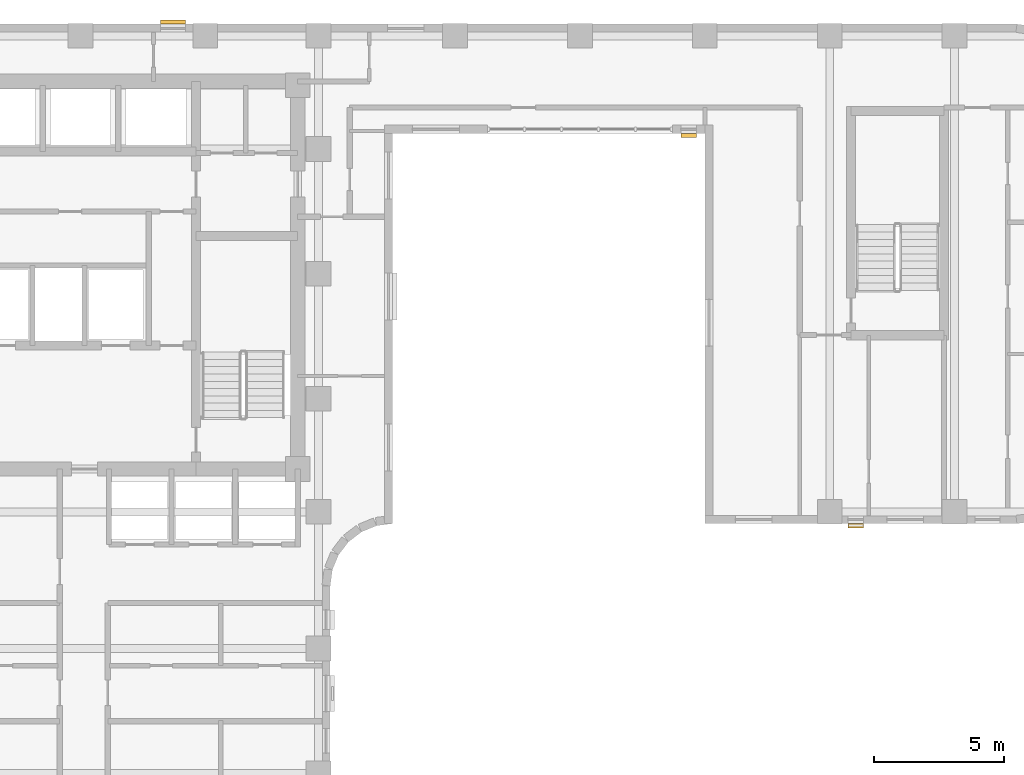
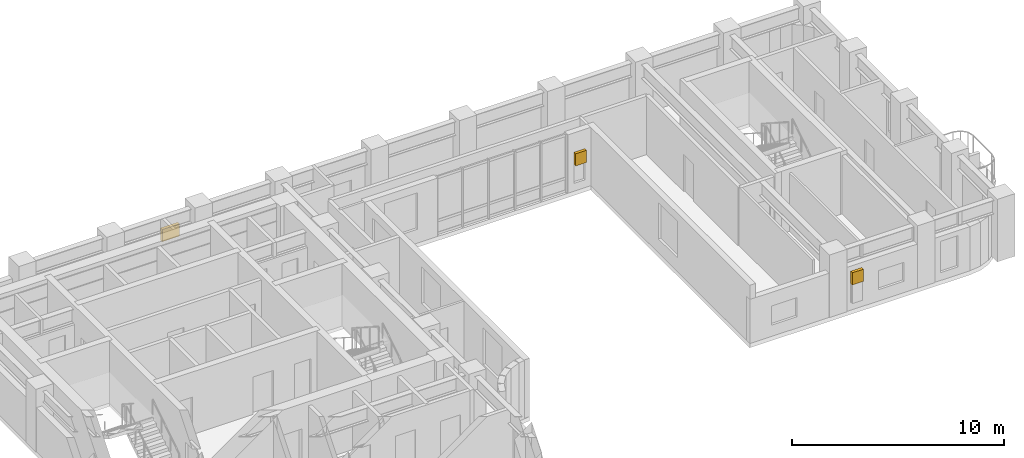
# One storey, part 11 of 11: 3 shading devices.
"""IFC4 building model written with IfcOpenShell, lengths in metres."""

import ifcopenshell
import ifcopenshell.guid

model = None  # the IFC model being written
_history = None  # IfcOwnerHistory: only IFC2X3 demands one
_inside = {}  # id of a spatial element -> (the spatial element, [elements in it])
_under = {}  # id of a project, library or spatial element -> (it, [spatial elements below it])
_declared = {}  # id of a project -> (the project, [libraries it declares])
_typed = {}  # id of a type object -> (the type object, [elements of that type])
_made_of = {}  # id of a material, layer set ... -> (it, [elements and type objects made of it])


def new_model(schema):
    """Start an empty IFC model of exactly this schema.

    Asked for "IFC4X3", IfcOpenShell would pick the latest addendum, in which some entities
    have other attributes; the version numbers below select the first issue.
    IFC2X3 requires an IfcOwnerHistory on every rooted entity: one is made here for all.
    """
    global model, _history
    if schema == "IFC4X3":
        model = ifcopenshell.file(schema_version=(4, 3, 0, 0))
    else:
        model = ifcopenshell.file(schema=schema)
    _inside.clear()
    _under.clear()
    _declared.clear()
    _typed.clear()
    _made_of.clear()
    _history = None
    if model.schema == "IFC2X3":
        org = make("IfcOrganization", Name="unknown")
        user = make(
            "IfcPersonAndOrganization",
            ThePerson=make("IfcPerson", FamilyName="unknown"),
            TheOrganization=org,
        )
        app = make(
            "IfcApplication",
            ApplicationDeveloper=org,
            Version="unknown",
            ApplicationFullName="unknown",
            ApplicationIdentifier="unknown",
        )
        _history = make(
            "IfcOwnerHistory",
            OwningUser=user,
            OwningApplication=app,
            ChangeAction="ADDED",
            CreationDate=0,
        )
    return model


def make(cls, **values):
    """One entity of the class cls with the attributes given. An attribute that is None is left unset."""
    return model.create_entity(
        cls, **{name: value for name, value in values.items() if value is not None}
    )


def rooted(cls, **values):
    """An entity with a GlobalId (a new one), such as an element, a storey or a relation."""
    return make(cls, GlobalId=ifcopenshell.guid.new(), OwnerHistory=_history, **values)


def si_unit(unit_type, name, prefix=None):
    """IfcSIUnit, for example si_unit("LENGTHUNIT", "METRE", prefix="MILLI")."""
    return make("IfcSIUnit", UnitType=unit_type, Prefix=prefix, Name=name)


def assignment(units):
    """IfcUnitAssignment: the units of a project."""
    return None if units is None else make("IfcUnitAssignment", Units=units)


def point(xyz):
    """IfcCartesianPoint."""
    return None if xyz is None else make("IfcCartesianPoint", Coordinates=xyz)


def direction(xyz):
    """IfcDirection."""
    return None if xyz is None else make("IfcDirection", DirectionRatios=xyz)


def frame(location, z_axis=None, x_axis=None):
    """IfcAxis2Placement3D, a coordinate frame: its origin and axes. An axis left out is left unset."""
    return make(
        "IfcAxis2Placement3D",
        Location=point(location),
        Axis=direction(z_axis),
        RefDirection=direction(x_axis),
    )


def frame_2d(location, x_axis=None):
    """IfcAxis2Placement2D, a coordinate frame in the plane: its origin and x axis."""
    return make(
        "IfcAxis2Placement2D", Location=point(location), RefDirection=direction(x_axis)
    )


def origin():
    """The frame at (0, 0, 0) with its axes left unset."""
    return frame((0.0, 0.0, 0.0))


def origin_2d():
    """The frame at (0, 0) in the plane with its x axis left unset."""
    return frame_2d((0.0, 0.0))


def place(relative_to, where):
    """IfcLocalPlacement: puts the frame where relative to a parent placement (None: the world)."""
    return make(
        "IfcLocalPlacement", PlacementRelTo=relative_to, RelativePlacement=where
    )


def context(
    kind, dimensions, precision=None, world=None, true_north=None, identifier=None
):
    """IfcGeometricRepresentationContext, for example the 3D "Model" context."""
    return make(
        "IfcGeometricRepresentationContext",
        ContextIdentifier=identifier,
        ContextType=kind,
        CoordinateSpaceDimension=dimensions,
        Precision=precision,
        WorldCoordinateSystem=world,
        TrueNorth=true_north,
    )


def subcontext(parent, identifier, kind, view, scale=None):
    """IfcGeometricRepresentationSubContext, for example "Body" below "Model"."""
    return make(
        "IfcGeometricRepresentationSubContext",
        ContextIdentifier=identifier,
        ContextType=kind,
        ParentContext=parent,
        TargetScale=scale,
        TargetView=view,
    )


def project(units=None, contexts=None):
    """IfcProject with its units and contexts."""
    return rooted(
        "IfcProject",
        Name="project",
        RepresentationContexts=contexts,
        UnitsInContext=assignment(units),
    )


def spatial(cls, under=None, at=None, **own):
    """A site, building, storey or space (cls), placed at a placement, below another one or the project."""
    s = rooted(cls, ObjectPlacement=at, **own)
    if under is not None:
        _under.setdefault(under.id(), (under, []))[1].append(s)
    return s


def profile(cls, at=None, kind="AREA", **sizes):
    """A parametric profile (cls). Its sizes go by their IFC names, for example OverallWidth=200.0."""
    return make(cls, ProfileType=kind, Position=at, **sizes)


def rectangle(**sizes):
    """IfcRectangleProfileDef."""
    return profile("IfcRectangleProfileDef", **sizes)


def extrude(swept, where, along, depth):
    """IfcExtrudedAreaSolid: the profile swept, set in the frame where, extruded along a direction by depth."""
    return make(
        "IfcExtrudedAreaSolid",
        SweptArea=swept,
        Position=where,
        ExtrudedDirection=direction(along),
        Depth=depth,
    )


def shape(context_of_items, identifier, shape_type, items):
    """IfcShapeRepresentation: the items that make up one representation, for example the "Body"."""
    return make(
        "IfcShapeRepresentation",
        ContextOfItems=context_of_items,
        RepresentationIdentifier=identifier,
        RepresentationType=shape_type,
        Items=items,
    )


def material(Name=None, Category=None):
    """IfcMaterial."""
    return make("IfcMaterial", Name=Name, Category=Category)


def made_of(thing, what):
    """Note that an element or type object is made of a material, layer set ...; save() writes the relation."""
    if what is not None:
        _made_of.setdefault(what.id(), (what, []))[1].append(thing)
    return thing


def type_object(cls, material=None, **own):
    """A type object (cls), such as IfcWallType, which elements share."""
    return made_of(rooted(cls, **own), material)


def element(
    cls,
    number,
    at=None,
    inside=None,
    cuts=None,
    type_object=None,
    material=None,
    context=None,
    identifier="Body",
    shape_type=None,
    held_by="IfcProductDefinitionShape",
    body=None,
    shapes=None,
    **own,
):
    """One element of the class cls, such as IfcWall. Its Tag is "e" and its number.

    at: its placement. inside: the storey or other place that contains it. cuts: it is an
    opening in that element (IfcRelVoidsElement). A single representation is given by context,
    identifier, shape_type and body (its items); several are given by shapes. held_by: the class
    of the entity that holds the representations. save() writes the other relations.
    """
    e = rooted(cls, Tag="e%d" % number, ObjectPlacement=at, **own)
    if body is not None:
        shapes = [shape(context, identifier, shape_type, body)]
    if shapes is not None:
        e.Representation = make(held_by, Representations=shapes)
    if inside is not None:
        _inside.setdefault(inside.id(), (inside, []))[1].append(e)
    if cuts is not None:
        rooted(
            "IfcRelVoidsElement", RelatingBuildingElement=cuts, RelatedOpeningElement=e
        )
    if type_object is not None:
        _typed.setdefault(type_object.id(), (type_object, []))[1].append(e)
    return made_of(e, material)


def aggregate(whole, parts):
    """IfcRelAggregates: a whole, such as a stair, and the parts it consists of."""
    return rooted("IfcRelAggregates", RelatingObject=whole, RelatedObjects=parts)


def save(model, path):
    """Write the relations noted so far, then the file.

    IfcRelAggregates (storeys below a building ...), IfcRelContainedInSpatialStructure (elements
    in a storey), IfcRelDefinesByType, IfcRelAssociatesMaterial and IfcRelDeclares: one each for
    every whole, place, type object, material and project.
    """
    for whole, parts in _under.values():
        aggregate(whole, parts)
    for where, things in _inside.values():
        rooted(
            "IfcRelContainedInSpatialStructure",
            RelatedElements=things,
            RelatingStructure=where,
        )
    for kind, things in _typed.values():
        rooted("IfcRelDefinesByType", RelatedObjects=things, RelatingType=kind)
    for what, things in _made_of.values():
        rooted("IfcRelAssociatesMaterial", RelatedObjects=things, RelatingMaterial=what)
    for by, libraries in _declared.values():
        rooted("IfcRelDeclares", RelatingContext=by, RelatedDefinitions=libraries)
    model.write(path)


model = new_model("IFC4")

# Units and contexts
model_context = context("Model", 3, precision=1e-05, world=origin(), true_north=direction((0.0, 1.0)))
body_context = subcontext(model_context, "Body", "Model", "MODEL_VIEW")
ifc_project = project(units=[si_unit("LENGTHUNIT", "METRE"), si_unit("AREAUNIT", "SQUARE_METRE"), si_unit("VOLUMEUNIT", "CUBIC_METRE"), si_unit("PLANEANGLEUNIT", "RADIAN"), si_unit("MASSUNIT", "GRAM", prefix="KILO")], contexts=[model_context])

# Site, building, storey
site_placement = place(None, origin())
site = spatial("IfcSite", under=ifc_project, at=site_placement, CompositionType="ELEMENT")
building_placement = place(site_placement, origin())
building = spatial("IfcBuilding", under=site, at=building_placement, Name="Orvandelia Arch Residences", CompositionType="ELEMENT")
storey_placement = place(building_placement, frame((0.0, 0.0, 164.800048828125)))
storey = spatial("IfcBuildingStorey", under=building, at=storey_placement, Name="L43", CompositionType="ELEMENT", Elevation=164.800048828125)

# Shading devices
ifc_material = material(Name="Anodised Champagne-Bronze Extruded Aluminium", Category="aluminium")
shading_device_type = type_object("IfcShadingDeviceType", Name="SHD-JALOUSIE-SCREEN", PredefinedType="JALOUSIE", material=ifc_material)
shading_device_placement = place(storey_placement, frame((17.952392578125, 48.080078125, 1.5498046875), z_axis=(0.0, 0.0, 1.0), x_axis=(1.0, 0.0, 0.0)))
element("IfcShadingDevice", 1, at=shading_device_placement, inside=storey, type_object=shading_device_type, Name="Bronze Jalousie Sun-Shade L43-001", PredefinedType="JALOUSIE", context=body_context, shape_type="SweptSolid", body=[
    extrude(rectangle(XDim=0.949951171875, YDim=0.159912109375, at=origin_2d()), origin(), (0.0, 0.0, 1.0), 0.699951171875),
])
for number, where, z_axis, x_axis, name in (
    (2, (44.197509765625, 28.719970703125, 1.5498046875), (0.0, 0.0, 1.0), (-1.0, 0.0, 0.0), "Bronze Jalousie Sun-Shade L43-003"),
    (3, (37.780029296875, 43.719970703125, 1.5498046875), (0.0, 0.0, 1.0), (-1.0, 0.0, 0.0), "Bronze Jalousie Sun-Shade L43-004"),
):
    element("IfcShadingDevice", number, at=place(storey_placement, frame(where, z_axis=z_axis, x_axis=x_axis)), inside=storey, type_object=shading_device_type, Name=name, PredefinedType="JALOUSIE", context=body_context, shape_type="SweptSolid", body=[
        extrude(rectangle(XDim=0.60009765625, YDim=0.159912109375, at=origin_2d()), origin(), (0.0, 0.0, 1.0), 0.699951171875),
    ])

save(model, "model.ifc")
